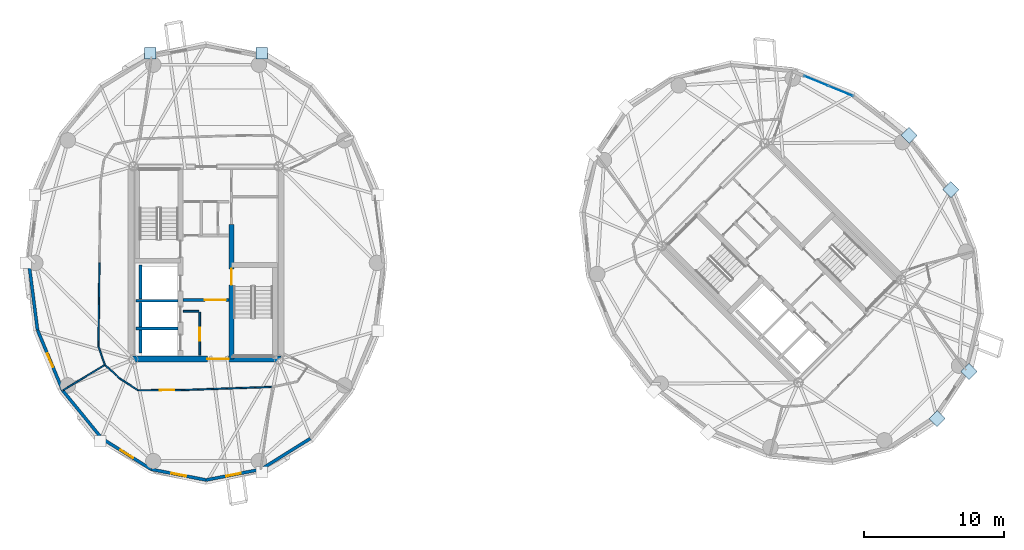
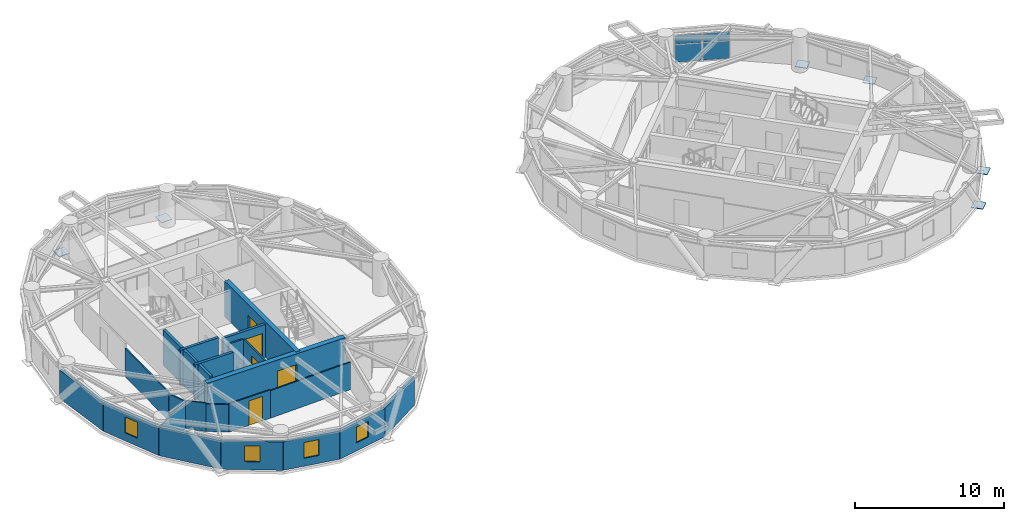
# One storey, part 7 of 14: 24 walls, 10 plates, 5 doors, 4 windows, 9 openings, 1 element without a shape of its own.
"""IFC4 building model written with IfcOpenShell, lengths in metres."""

from ifc_helpers import new_model, si_unit, direction, frame, frame_2d, origin, origin_2d, place, context, subcontext, project, spatial, rectangle, extrude, source, transform, mapped, material, layer, layer_set, type_object, element, fill, aggregate, save


model = new_model("IFC4")

# Units and contexts
model_context = context("Model", 3, precision=1e-05, world=origin(), true_north=direction((0.0, 1.0)))
body_context = subcontext(model_context, "Body", "Model", "MODEL_VIEW")
ifc_project = project(units=[si_unit("LENGTHUNIT", "METRE"), si_unit("AREAUNIT", "SQUARE_METRE"), si_unit("VOLUMEUNIT", "CUBIC_METRE"), si_unit("PLANEANGLEUNIT", "RADIAN"), si_unit("MASSUNIT", "GRAM", prefix="KILO")], contexts=[model_context])

# Site, building, storey
site_placement = place(None, origin())
site = spatial("IfcSite", under=ifc_project, at=site_placement, CompositionType="ELEMENT")
building_placement = place(site_placement, origin())
building = spatial("IfcBuilding", under=site, at=building_placement, Name="Cununo Teusaquillo Station Towers", CompositionType="ELEMENT")
storey_placement = place(building_placement, frame((0.0, 0.0, 202.47998046875)))
storey = spatial("IfcBuildingStorey", under=building, at=storey_placement, Name="L64", CompositionType="ELEMENT", Elevation=202.47998046875)

# Plates
ifc_material_1 = material(Name="Steel ASTM A572 Grade 50", Category="steel")
ifc_layer_1 = layer(ifc_material_1, 0.044921875)
ifc_layer_set_1 = layer_set([ifc_layer_1], Name="Steel ASTM A572 Grade 50")
plate_type_1 = type_object("IfcPlateType", Name="PLT-NODE-DN2", PredefinedType="USERDEFINED", material=ifc_layer_set_1)
shared_shape_1 = source(origin(), body_context, "Body", "SweptSolid", [
    extrude(rectangle(XDim=0.820068359375, YDim=0.820068359375, at=origin_2d()), origin(), (0.0, 0.0, 1.0), 0.044921875),
])
for number, where, z_axis, x_axis, name in (
    (1, (20.470947265625, 39.422119140625, -0.162353515625), (0.0, 0.0, 1.0), (1.0, 0.0, 0.0), "L64 Tower A Diagrid Node Assembly C03"),
    (2, (12.529052734375, 39.422119140625, -0.162353515625), (0.0, 0.0, 1.0), (1.0, 0.0, 0.0), "L64 Tower A Diagrid Node Assembly C06"),
    (3, (66.586181640625, 33.586181640625, -0.162353515625), (0.0, 0.0, 1.0), (0.707106781187, 0.707106781187, 0.0), "L64 Tower B Diagrid Node Assembly C00"),
    (4, (68.594482421875, 13.405517578125, -0.162353515625), (0.0, 0.0, 1.0), (0.707106781187, 0.707106781187, 0.0), "L64 Tower B Diagrid Node Assembly C14"),
    (5, (70.859375, 16.75634765625, -0.162353515625), (0.0, 0.0, 1.0), (0.707106781187, 0.707106781187, 0.0), "L64 Tower B Diagrid Node Assembly C16"),
    (6, (69.570068359375, 29.713134765625, -0.162353515625), (0.0, 0.0, 1.0), (0.707106781187, 0.707106781187, 0.0), "L64 Tower B Diagrid Node Assembly C18"),
):
    element("IfcPlate", number, at=place(storey_placement, frame(where, z_axis=z_axis, x_axis=x_axis)), inside=storey, type_object=plate_type_1, Name=name, ObjectType="GUSSET PLATE", PredefinedType="USERDEFINED", context=body_context, shape_type="MappedRepresentation", body=[
        mapped(shared_shape_1, transform((0.0, 0.0, 0.0), x_axis=(1.0, 0.0, 0.0), y_axis=(0.0, 1.0, 0.0), z_axis=(0.0, 0.0, 1.0), scale=1.0)),
    ])

# Curtain wall, plates
ifc_material_2 = material(Name="Ceramic-fritted dark low-E double glazing", Category="glass")
ifc_layer_2 = layer(ifc_material_2, 0.179931640625)
ifc_layer_set_2 = layer_set([ifc_layer_2], Name="Ceramic-fritted dark low-E double glazing")
curtain_wall_type = type_object("IfcCurtainWallType", Name="CW-SYS-07", PredefinedType="USERDEFINED", material=ifc_layer_set_2)
curtain_wall_placement = place(storey_placement, origin())
curtain_wall = element("IfcCurtainWall", 7, at=curtain_wall_placement, inside=storey, type_object=curtain_wall_type, Name="L64 Tower B Facade Curtain Wall C01", ObjectType="FRITTED GLAZING", PredefinedType="USERDEFINED")
ifc_material_3 = material(Name="Ceramic-fritted dark low-E double glazing", Category="glass")
ifc_layer_3 = layer(ifc_material_3, 0.028076171875)
ifc_layer_set_3 = layer_set([ifc_layer_3], Name="Ceramic-fritted dark low-E double glazing")
plate_type_2 = type_object("IfcPlateType", Name="CWP-FRIT-28", PredefinedType="CURTAIN_PANEL", material=ifc_layer_set_3)
shared_shape_2 = source(origin(), body_context, "Body", "SweptSolid", [
    extrude(rectangle(XDim=1.81298828125, YDim=0.028076171875, at=origin_2d()), origin(), (0.0, 0.0, 1.0), 1.41162109375),
])
plate_1_placement = place(storey_placement, frame((59.979248046875, 37.46044921875, 0.06494140625), z_axis=(0.0, 0.0, 1.0), x_axis=(0.924447019904, -0.381310513086, 0.0)))
plate_1 = element("IfcPlate", 8, at=plate_1_placement, type_object=plate_type_2, Name="CW-07 panel 1.1", PredefinedType="CURTAIN_PANEL", context=body_context, shape_type="MappedRepresentation", body=[
    mapped(shared_shape_2, transform((0.0, 0.0, 0.0), x_axis=(1.0, 0.0, 0.0), y_axis=(0.0, 1.0, 0.0), z_axis=(0.0, 0.0, 1.0), scale=1.0)),
])
plate_2_placement = place(storey_placement, frame((61.71533203125, 36.744384765625, 0.06494140625), z_axis=(0.0, 0.0, 1.0), x_axis=(0.924447019904, -0.381310513086, 0.0)))
plate_2 = element("IfcPlate", 9, at=plate_2_placement, type_object=plate_type_2, Name="CW-07 panel 2.1", PredefinedType="CURTAIN_PANEL", context=body_context, shape_type="MappedRepresentation", body=[
    mapped(shared_shape_2, transform((0.0, 0.0, 0.0), x_axis=(1.0, 0.0, 0.0), y_axis=(0.0, 1.0, 0.0), z_axis=(0.0, 0.0, 1.0), scale=1.0)),
])
shared_shape_3 = source(origin(), body_context, "Body", "SweptSolid", [
    extrude(rectangle(XDim=1.81298828125, YDim=0.028076171875, at=origin_2d()), origin(), (0.0, 0.0, 1.0), 0.715576171875),
])
plate_3_placement = place(storey_placement, frame((59.979248046875, 37.46044921875, 1.54150390625), z_axis=(0.0, 0.0, 1.0), x_axis=(0.924447019904, -0.381310513086, 0.0)))
plate_3 = element("IfcPlate", 10, at=plate_3_placement, type_object=plate_type_2, Name="CW-07 panel 1.2", PredefinedType="CURTAIN_PANEL", context=body_context, shape_type="MappedRepresentation", body=[
    mapped(shared_shape_3, transform((0.0, 0.0, 0.0), x_axis=(1.0, 0.0, 0.0), y_axis=(0.0, 1.0, 0.0), z_axis=(0.0, 0.0, 1.0), scale=1.0)),
])
plate_4_placement = place(storey_placement, frame((61.71533203125, 36.744384765625, 1.54150390625), z_axis=(0.0, 0.0, 1.0), x_axis=(0.924447019904, -0.381310513086, 0.0)))
plate_4 = element("IfcPlate", 11, at=plate_4_placement, type_object=plate_type_2, Name="CW-07 panel 2.2", PredefinedType="CURTAIN_PANEL", context=body_context, shape_type="MappedRepresentation", body=[
    mapped(shared_shape_3, transform((0.0, 0.0, 0.0), x_axis=(1.0, 0.0, 0.0), y_axis=(0.0, 1.0, 0.0), z_axis=(0.0, 0.0, 1.0), scale=1.0)),
])
aggregate(curtain_wall, [plate_1, plate_3, plate_2, plate_4])

# Walls
ifc_material_4 = material(Name="Concrete C50/60", Category="concrete")
ifc_layer_4 = layer(ifc_material_4, 0.199951171875)
ifc_layer_set_4 = layer_set([ifc_layer_4], Name="Concrete C50/60")
wall_type_1 = type_object("IfcWallType", Name="WL-CORE-200", PredefinedType="SHEAR", material=ifc_layer_set_4)
wall_1_placement = place(storey_placement, frame((11.52001953125, 21.800048828125, 0.0), z_axis=(0.0, 0.0, 1.0), x_axis=(1.0, 0.0, 0.0)))
element("IfcWall", 12, at=wall_1_placement, inside=storey, type_object=wall_type_1, Name="L64 Tower A Firefighting Lift Shaft South Shear Wall", PredefinedType="SHEAR", context=body_context, shape_type="SweptSolid", body=[
    extrude(rectangle(XDim=2.969970703125, YDim=0.199951171875, at=frame_2d((1.48486328125, 0.0))), origin(), (0.0, 0.0, 1.0), 2.909912109375),
])
wall_2_placement = place(storey_placement, frame((11.820068359375, 21.919921875, 0.0), z_axis=(0.0, 0.0, 1.0), x_axis=(0.0, 1.0, 0.0)))
element("IfcWall", 13, at=wall_2_placement, inside=storey, type_object=wall_type_1, Name="L64 Tower A Firefighting Lift Shaft Rear Shear Wall", PredefinedType="SHEAR", context=body_context, shape_type="SweptSolid", body=[
    extrude(rectangle(XDim=2.440185546875, YDim=0.199951171875, at=frame_2d((1.22021484375, 0.0))), origin(), (0.0, 0.0, 1.0), 2.909912109375),
])
wall_3_placement = place(storey_placement, frame((11.52001953125, 19.824951171875, 0.0), z_axis=(0.0, 0.0, 1.0), x_axis=(1.0, 0.0, 0.0)))
element("IfcWall", 14, at=wall_3_placement, inside=storey, type_object=wall_type_1, Name="L64 Tower A High-Rise Lift Hoistway Divider Shear Wall", PredefinedType="SHEAR", context=body_context, shape_type="SweptSolid", body=[
    extrude(rectangle(XDim=2.969970703125, YDim=0.199951171875, at=frame_2d((1.48486328125, 0.0))), origin(), (0.0, 0.0, 1.0), 2.909912109375),
])
wall_4_placement = place(storey_placement, frame((11.820068359375, 19.945068359375, 0.0), z_axis=(0.0, 0.0, 1.0), x_axis=(0.0, 1.0, 0.0)))
element("IfcWall", 15, at=wall_4_placement, inside=storey, type_object=wall_type_1, Name="L64 Tower A High-Rise Lift 2 Shaft Rear Shear Wall", PredefinedType="SHEAR", context=body_context, shape_type="SweptSolid", body=[
    extrude(rectangle(XDim=1.73486328125, YDim=0.199951171875, at=frame_2d((0.867431640625, 0.0))), origin(), (0.0, 0.0, 1.0), 2.909912109375),
])
wall_5_placement = place(storey_placement, frame((11.820068359375, 18.070068359375, 0.0), z_axis=(0.0, 0.0, 1.0), x_axis=(0.0, 1.0, 0.0)))
element("IfcWall", 16, at=wall_5_placement, inside=storey, type_object=wall_type_1, Name="L64 Tower A High-Rise Lift 1 Shaft Rear Shear Wall", PredefinedType="SHEAR", context=body_context, shape_type="SweptSolid", body=[
    extrude(rectangle(XDim=1.635009765625, YDim=0.199951171875, at=frame_2d((0.8173828125, 0.0))), origin(), (0.0, 0.0, 1.0), 2.909912109375),
])

# Wall, opening, door
ifc_material_5 = material(Name="Concrete C50/60", Category="concrete")
ifc_layer_5 = layer(ifc_material_5, 0.35009765625)
ifc_layer_set_5 = layer_set([ifc_layer_5], Name="Concrete C50/60")
wall_type_2 = type_object("IfcWallType", Name="WL-CORE-350", PredefinedType="SHEAR", material=ifc_layer_set_5)
wall_6_placement = place(storey_placement, frame((18.31494140625, 17.64990234375, 0.0), z_axis=(0.0, 0.0, 1.0), x_axis=(0.0, 1.0, 0.0)))
wall_6 = element("IfcWall", 17, at=wall_6_placement, inside=storey, type_object=wall_type_2, Name="L64 Tower A Core Shear Wall IE", PredefinedType="SHEAR", context=body_context, shape_type="SweptSolid", body=[
    extrude(rectangle(XDim=9.60009765625, YDim=0.35009765625, at=frame_2d((4.800048828125, 0.0))), origin(), (0.0, 0.0, 1.0), 2.909912109375),
])
shared_shape_4 = source(origin(), body_context, "Body", "SweptSolid", [
    extrude(rectangle(XDim=1.14990234375, YDim=2.02001953125, at=frame_2d((0.574951171875, 1.010009765625))), frame((0.0, 0.18505859375, 0.0), z_axis=(0.0, -1.0, 0.0), x_axis=(1.0, 0.0, 0.0)), (0.0, 0.0, 1.0), 0.3701171875),
])
opening_1_placement = place(wall_6_placement, frame((5.280029296875, 0.0, 0.0)))
opening_1 = element("IfcOpeningElement", 18, at=opening_1_placement, cuts=wall_6, Name="Opening D-ST1", PredefinedType="OPENING", context=body_context, shape_type="MappedRepresentation", body=[
    mapped(shared_shape_4, transform((0.0, 0.0, 0.0), x_axis=(1.0, 0.0, 0.0), y_axis=(0.0, 1.0, 0.0), z_axis=(0.0, 0.0, 1.0), scale=1.0)),
])
ifc_material_6 = material(Name="Galvanised fire-rated hollow steel door assembly", Category="steel")
door_type_1 = type_object("IfcDoorType", Name="DR-STAIR-1150", OperationType="NOTDEFINED", PredefinedType="DOOR", material=ifc_material_6)
shared_shape_5 = source(origin(), body_context, "Body", "SweptSolid", [
    extrude(rectangle(XDim=1.14990234375, YDim=2.02001953125, at=frame_2d((0.574951171875, 1.010009765625))), frame((0.0, 0.02490234375, 0.0), z_axis=(0.0, -1.0, 0.0), x_axis=(1.0, 0.0, 0.0)), (0.0, 0.0, 1.0), 0.050048828125),
])
door_1_placement = place(opening_1_placement, origin())
door_1 = element("IfcDoor", 19, at=door_1_placement, inside=storey, type_object=door_type_1, Name="L64 Tower A Exit Stair 2 Fire Door", OperationType="SINGLE_SWING_LEFT", OverallHeight=2.02001953125, OverallWidth=1.14990234375, PredefinedType="DOOR", context=body_context, shape_type="MappedRepresentation", body=[
    mapped(shared_shape_5, transform((0.0, 0.0, 0.0), x_axis=(1.0, 0.0, 0.0), y_axis=(0.0, 1.0, 0.0), z_axis=(0.0, 0.0, 1.0), scale=1.0)),
])
fill(opening_1, door_1)

ifc_material_7 = material(Name="Concrete C50/60", Category="concrete")
ifc_layer_6 = layer(ifc_material_7, 0.39990234375)
ifc_layer_set_6 = layer_set([ifc_layer_6], Name="Concrete C50/60")
wall_type_3 = type_object("IfcWallType", Name="WL-CORE-400", PredefinedType="SHEAR", material=ifc_layer_set_6)
wall_7_placement = place(storey_placement, frame((11.14990234375, 17.64990234375, 0.0), z_axis=(0.0, 0.0, 1.0), x_axis=(1.0, 0.0, 0.0)))
wall_7 = element("IfcWall", 20, at=wall_7_placement, inside=storey, type_object=wall_type_3, Name="L64 Tower A Core Shear Wall S", PredefinedType="SHEAR", context=body_context, shape_type="SweptSolid", body=[
    extrude(rectangle(XDim=10.7001953125, YDim=0.39990234375, at=frame_2d((5.35009765625, 0.0))), origin(), (0.0, 0.0, 1.0), 2.909912109375),
])
shared_shape_6 = source(origin(), body_context, "Body", "SweptSolid", [
    extrude(rectangle(XDim=1.5, YDim=2.02001953125, at=frame_2d((0.75, 1.010009765625))), frame((0.0, 0.2099609375, 0.0), z_axis=(0.0, -1.0, 0.0), x_axis=(1.0, 0.0, 0.0)), (0.0, 0.0, 1.0), 0.419921875),
])
opening_2_placement = place(wall_7_placement, frame((5.449951171875, 0.0, 0.0)))
opening_2 = element("IfcOpeningElement", 21, at=opening_2_placement, cuts=wall_7, Name="Opening D-LB1", PredefinedType="OPENING", context=body_context, shape_type="MappedRepresentation", body=[
    mapped(shared_shape_6, transform((0.0, 0.0, 0.0), x_axis=(1.0, 0.0, 0.0), y_axis=(0.0, 1.0, 0.0), z_axis=(0.0, 0.0, 1.0), scale=1.0)),
])
ifc_material_8 = material(Name="Galvanised fire-rated hollow steel door assembly", Category="steel")
door_type_2 = type_object("IfcDoorType", Name="DR-LOBBY-1500", OperationType="DOUBLE_DOOR_SINGLE_SWING", PredefinedType="DOOR", material=ifc_material_8)
shared_shape_7 = source(origin(), body_context, "Body", "SweptSolid", [
    extrude(rectangle(XDim=1.5, YDim=2.02001953125, at=frame_2d((0.75, 1.010009765625))), frame((0.0, 0.02490234375, 0.0), z_axis=(0.0, -1.0, 0.0), x_axis=(1.0, 0.0, 0.0)), (0.0, 0.0, 1.0), 0.050048828125),
])
door_2_placement = place(opening_2_placement, origin())
door_2 = element("IfcDoor", 22, at=door_2_placement, inside=storey, type_object=door_type_2, Name="L64 Tower A South Core Lift Lobby Door", OperationType="DOUBLE_DOOR_SINGLE_SWING", OverallHeight=2.02001953125, OverallWidth=1.5, PredefinedType="DOOR", context=body_context, shape_type="MappedRepresentation", body=[
    mapped(shared_shape_7, transform((0.0, 0.0, 0.0), x_axis=(1.0, 0.0, 0.0), y_axis=(0.0, 1.0, 0.0), z_axis=(0.0, 0.0, 1.0), scale=1.0)),
])
fill(opening_2, door_2)

# Wall
ifc_material_9 = material(Name="Precast concrete C40/50", Category="concrete")
ifc_layer_7 = layer(ifc_material_9, 0.219970703125)
ifc_layer_set_7 = layer_set([ifc_layer_7], Name="Precast concrete C40/50")
wall_type_4 = type_object("IfcWallType", Name="WL-EXT-220", PredefinedType="SOLIDWALL", material=ifc_layer_set_7)
wall_8_placement = place(storey_placement, frame((4.48828125, 19.719482421875, 0.0), z_axis=(0.0, 0.0, 1.0), x_axis=(-0.128241318541, 0.991742993027, 0.0)))
element("IfcWall", 23, at=wall_8_placement, inside=storey, type_object=wall_type_4, Name="L64 Tower A Exterior Facade Wall C10", PredefinedType="SOLIDWALL", context=body_context, shape_type="SweptSolid", body=[
    extrude(rectangle(XDim=4.8203125, YDim=0.219970703125, at=frame_2d((2.41015625, 0.0))), origin(), (0.0, 0.0, 1.0), 2.322021484375),
])

# Wall, opening, window
wall_9_placement = place(storey_placement, frame((6.281982421875, 15.406982421875, 0.0), z_axis=(0.0, 0.0, 1.0), x_axis=(-0.384036305194, 0.923317993052, 0.0)))
wall_9 = element("IfcWall", 24, at=wall_9_placement, inside=storey, type_object=wall_type_4, Name="L64 Tower A Exterior Facade Wall C11", PredefinedType="SOLIDWALL", context=body_context, shape_type="SweptSolid", body=[
    extrude(rectangle(XDim=4.670654296875, YDim=0.219970703125, at=frame_2d((2.33544921875, 0.0))), origin(), (0.0, 0.0, 1.0), 2.322021484375),
])
shared_shape_8 = source(origin(), body_context, "Body", "SweptSolid", [
    extrude(rectangle(XDim=1.050048828125, YDim=1.300048828125, at=frame_2d((0.52490234375, 0.64990234375))), frame((0.0, 0.119873046875, 0.0), z_axis=(0.0, -1.0, 0.0), x_axis=(1.0, 0.0, 0.0)), (0.0, 0.0, 1.0), 0.239990234375),
])
opening_3_placement = place(wall_9_placement, frame((1.81005859375, 0.0, 0.64990234375)))
opening_3 = element("IfcOpeningElement", 25, at=opening_3_placement, cuts=wall_9, Name="Opening WN-04", PredefinedType="OPENING", context=body_context, shape_type="MappedRepresentation", body=[
    mapped(shared_shape_8, transform((0.0, 0.0, 0.0), x_axis=(1.0, 0.0, 0.0), y_axis=(0.0, 1.0, 0.0), z_axis=(0.0, 0.0, 1.0), scale=1.0)),
])
ifc_material_10 = material(Name="Operable acoustic tinted low-E double glazing", Category="glass")
window_type = type_object("IfcWindowType", Name="WIN-BAL-1050", PartitioningType="SINGLE_PANEL", PredefinedType="WINDOW", material=ifc_material_10)
shared_shape_9 = source(origin(), body_context, "Body", "SweptSolid", [
    extrude(rectangle(XDim=1.050048828125, YDim=1.300048828125, at=frame_2d((0.52490234375, 0.64990234375))), frame((0.0, 0.030029296875, 0.0), z_axis=(0.0, -1.0, 0.0), x_axis=(1.0, 0.0, 0.0)), (0.0, 0.0, 1.0), 0.06005859375),
])
window_1_placement = place(opening_3_placement, origin())
window_1 = element("IfcWindow", 26, at=window_1_placement, inside=storey, type_object=window_type, Name="L64 Tower A Facade Window C11", OverallHeight=1.300048828125, OverallWidth=1.050048828125, PartitioningType="SINGLE_PANEL", PredefinedType="WINDOW", context=body_context, shape_type="MappedRepresentation", body=[
    mapped(shared_shape_9, transform((0.0, 0.0, 0.0), x_axis=(1.0, 0.0, 0.0), y_axis=(0.0, 1.0, 0.0), z_axis=(0.0, 0.0, 1.0), scale=1.0)),
])
fill(opening_3, window_1)

# Wall
wall_10_placement = place(storey_placement, frame((9.076416015625, 11.984619140625, 0.0), z_axis=(0.0, 0.0, 1.0), x_axis=(-0.632467166636, 0.774587169483, 0.0)))
element("IfcWall", 27, at=wall_10_placement, inside=storey, type_object=wall_type_4, Name="L64 Tower A Exterior Facade Wall C12", PredefinedType="SOLIDWALL", context=body_context, shape_type="SweptSolid", body=[
    extrude(rectangle(XDim=4.418212890625, YDim=0.219970703125, at=frame_2d((2.208984375, 0.0))), origin(), (0.0, 0.0, 1.0), 2.322021484375),
])

# Wall, opening, window
wall_11_placement = place(storey_placement, frame((12.59716796875, 9.787109375, 0.0), z_axis=(0.0, 0.0, 1.0), x_axis=(-0.848318713376, 0.529485939886, 0.0)))
wall_11 = element("IfcWall", 28, at=wall_11_placement, inside=storey, type_object=wall_type_4, Name="L64 Tower A Exterior Facade Wall C13", PredefinedType="SOLIDWALL", context=body_context, shape_type="SweptSolid", body=[
    extrude(rectangle(XDim=4.150390625, YDim=0.219970703125, at=frame_2d((2.0751953125, 0.0))), origin(), (0.0, 0.0, 1.0), 2.322021484375),
])
opening_4_placement = place(wall_11_placement, frame((1.550048828125, 0.0, 0.64990234375)))
opening_4 = element("IfcOpeningElement", 29, at=opening_4_placement, cuts=wall_11, Name="Opening WN-04", PredefinedType="OPENING", context=body_context, shape_type="MappedRepresentation", body=[
    mapped(shared_shape_8, transform((0.0, 0.0, 0.0), x_axis=(1.0, 0.0, 0.0), y_axis=(0.0, 1.0, 0.0), z_axis=(0.0, 0.0, 1.0), scale=1.0)),
])
window_2_placement = place(opening_4_placement, origin())
window_2 = element("IfcWindow", 30, at=window_2_placement, inside=storey, type_object=window_type, Name="L64 Tower A Facade Window C13", OverallHeight=1.300048828125, OverallWidth=1.050048828125, PartitioningType="SINGLE_PANEL", PredefinedType="WINDOW", context=body_context, shape_type="MappedRepresentation", body=[
    mapped(shared_shape_9, transform((0.0, 0.0, 0.0), x_axis=(1.0, 0.0, 0.0), y_axis=(0.0, 1.0, 0.0), z_axis=(0.0, 0.0, 1.0), scale=1.0)),
])
fill(opening_4, window_2)

wall_12_placement = place(storey_placement, frame((16.5, 9.030029296875, 0.0), z_axis=(0.0, 0.0, 1.0), x_axis=(-0.981700307484, 0.190432419211, 0.0)))
wall_12 = element("IfcWall", 31, at=wall_12_placement, inside=storey, type_object=wall_type_4, Name="L64 Tower A Exterior Facade Wall C14", PredefinedType="SOLIDWALL", context=body_context, shape_type="SweptSolid", body=[
    extrude(rectangle(XDim=3.9755859375, YDim=0.219970703125, at=frame_2d((1.98779296875, 0.0))), origin(), (0.0, 0.0, 1.0), 2.322021484375),
])
opening_5_placement = place(wall_12_placement, frame((1.462890625, 0.0, 0.64990234375)))
opening_5 = element("IfcOpeningElement", 32, at=opening_5_placement, cuts=wall_12, Name="Opening WN-04", PredefinedType="OPENING", context=body_context, shape_type="MappedRepresentation", body=[
    mapped(shared_shape_8, transform((0.0, 0.0, 0.0), x_axis=(1.0, 0.0, 0.0), y_axis=(0.0, 1.0, 0.0), z_axis=(0.0, 0.0, 1.0), scale=1.0)),
])
window_3_placement = place(opening_5_placement, origin())
window_3 = element("IfcWindow", 33, at=window_3_placement, inside=storey, type_object=window_type, Name="L64 Tower A Facade Window C14", OverallHeight=1.300048828125, OverallWidth=1.050048828125, PartitioningType="SINGLE_PANEL", PredefinedType="WINDOW", context=body_context, shape_type="MappedRepresentation", body=[
    mapped(shared_shape_9, transform((0.0, 0.0, 0.0), x_axis=(1.0, 0.0, 0.0), y_axis=(0.0, 1.0, 0.0), z_axis=(0.0, 0.0, 1.0), scale=1.0)),
])
fill(opening_5, window_3)

wall_13_placement = place(storey_placement, frame((20.40283203125, 9.787109375, 0.0), z_axis=(0.0, 0.0, 1.0), x_axis=(-0.981700307484, -0.190432419211, 0.0)))
wall_13 = element("IfcWall", 34, at=wall_13_placement, inside=storey, type_object=wall_type_4, Name="L64 Tower A Exterior Facade Wall C15", PredefinedType="SOLIDWALL", context=body_context, shape_type="SweptSolid", body=[
    extrude(rectangle(XDim=3.9755859375, YDim=0.219970703125, at=frame_2d((1.98779296875, 0.0))), origin(), (0.0, 0.0, 1.0), 2.322021484375),
])
opening_6_placement = place(wall_13_placement, frame((1.462890625, 0.0, 0.64990234375)))
opening_6 = element("IfcOpeningElement", 35, at=opening_6_placement, cuts=wall_13, Name="Opening WN-04", PredefinedType="OPENING", context=body_context, shape_type="MappedRepresentation", body=[
    mapped(shared_shape_8, transform((0.0, 0.0, 0.0), x_axis=(1.0, 0.0, 0.0), y_axis=(0.0, 1.0, 0.0), z_axis=(0.0, 0.0, 1.0), scale=1.0)),
])
window_4_placement = place(opening_6_placement, origin())
window_4 = element("IfcWindow", 36, at=window_4_placement, inside=storey, type_object=window_type, Name="L64 Tower A Facade Window C15", OverallHeight=1.300048828125, OverallWidth=1.050048828125, PartitioningType="SINGLE_PANEL", PredefinedType="WINDOW", context=body_context, shape_type="MappedRepresentation", body=[
    mapped(shared_shape_9, transform((0.0, 0.0, 0.0), x_axis=(1.0, 0.0, 0.0), y_axis=(0.0, 1.0, 0.0), z_axis=(0.0, 0.0, 1.0), scale=1.0)),
])
fill(opening_6, window_4)

# Walls
wall_14_placement = place(storey_placement, frame((23.923583984375, 11.984619140625, 0.0), z_axis=(0.0, 0.0, 1.0), x_axis=(-0.848318713376, -0.529485939886, 0.0)))
element("IfcWall", 37, at=wall_14_placement, inside=storey, type_object=wall_type_4, Name="L64 Tower A Exterior Facade Wall C16", PredefinedType="SOLIDWALL", context=body_context, shape_type="SweptSolid", body=[
    extrude(rectangle(XDim=4.150390625, YDim=0.219970703125, at=frame_2d((2.0751953125, 0.0))), origin(), (0.0, 0.0, 1.0), 2.322021484375),
])
ifc_material_11 = material(Name="Fire-rated gypsum plasterboard partition assembly", Category="gypsum")
ifc_layer_8 = layer(ifc_material_11, 0.10009765625)
ifc_layer_set_8 = layer_set([ifc_layer_8], Name="Fire-rated gypsum plasterboard partition assembly")
wall_type_5 = type_object("IfcWallType", Name="WL-PART-100", PredefinedType="MOVABLE", material=ifc_layer_set_8)
wall_15_placement = place(storey_placement, frame((8.89990234375, 24.5, 0.0), z_axis=(0.0, 0.0, 1.0), x_axis=(-0.011416369353, -0.999934831132, 0.0)))
element("IfcWall", 38, at=wall_15_placement, inside=storey, type_object=wall_type_5, Name="L64 Tower A Corridor Ring Wall C10", PredefinedType="MOVABLE", context=body_context, shape_type="SweptSolid", body=[
    extrude(rectangle(XDim=5.966552734375, YDim=0.10009765625, at=frame_2d((2.9833984375, 0.0))), origin(), (0.0, 0.0, 1.0), 2.322021484375),
])
wall_16_placement = place(storey_placement, frame((8.831787109375, 18.533935546875, 0.0), z_axis=(0.0, 0.0, 1.0), x_axis=(0.332031819657, -0.943268186008, 0.0)))
element("IfcWall", 39, at=wall_16_placement, inside=storey, type_object=wall_type_5, Name="L64 Tower A Corridor Ring Wall C11", PredefinedType="MOVABLE", context=body_context, shape_type="SweptSolid", body=[
    extrude(rectangle(XDim=1.377197265625, YDim=0.10009765625, at=frame_2d((0.6884765625, 0.0))), origin(), (0.0, 0.0, 1.0), 2.255126953125),
])
wall_17_placement = place(storey_placement, frame((9.2890625, 17.23486328125, 0.0), z_axis=(0.0, 0.0, 1.0), x_axis=(0.739015164946, -0.673688790155, 0.0)))
element("IfcWall", 40, at=wall_17_placement, inside=storey, type_object=wall_type_5, Name="L64 Tower A Corridor Ring Wall C12", PredefinedType="MOVABLE", context=body_context, shape_type="SweptSolid", body=[
    extrude(rectangle(XDim=1.4462890625, YDim=0.10009765625, at=frame_2d((0.72314453125, 0.0))), origin(), (0.0, 0.0, 1.0), 2.322021484375),
])
wall_18_placement = place(storey_placement, frame((10.35791015625, 16.260498046875, 0.0), z_axis=(0.0, 0.0, 1.0), x_axis=(0.838265397059, -0.545262435983, 0.0)))
element("IfcWall", 41, at=wall_18_placement, inside=storey, type_object=wall_type_5, Name="L64 Tower A Corridor Ring Wall C13", PredefinedType="MOVABLE", context=body_context, shape_type="SweptSolid", body=[
    extrude(rectangle(XDim=1.533935546875, YDim=0.10009765625, at=frame_2d((0.76708984375, 0.0))), origin(), (0.0, 0.0, 1.0), 2.255126953125),
])

# Wall, opening, door
wall_19_placement = place(storey_placement, frame((11.643798828125, 15.424072265625, 0.0), z_axis=(0.0, 0.0, 1.0), x_axis=(0.999986552511, 0.005186019339, 0.0)))
wall_19 = element("IfcWall", 42, at=wall_19_placement, inside=storey, type_object=wall_type_5, Name="L64 Tower A Corridor Ring Wall C14", PredefinedType="MOVABLE", context=body_context, shape_type="SweptSolid", body=[
    extrude(rectangle(XDim=3.201171875, YDim=0.10009765625, at=frame_2d((1.6005859375, 0.0))), origin(), (0.0, 0.0, 1.0), 2.322021484375),
])
shared_shape_10 = source(origin(), body_context, "Body", "SweptSolid", [
    extrude(rectangle(XDim=1.050048828125, YDim=2.014892578125, at=frame_2d((0.52490234375, 1.00732421875))), frame((0.0, 0.06005859375, 0.0), z_axis=(0.0, -1.0, 0.0), x_axis=(1.0, 0.0, 0.0)), (0.0, 0.0, 1.0), 0.1201171875),
])
opening_7_placement = place(wall_19_placement, frame((1.553466796875, 0.0, 0.0)))
opening_7 = element("IfcOpeningElement", 43, at=opening_7_placement, cuts=wall_19, Name="Opening D-SU1", PredefinedType="OPENING", context=body_context, shape_type="MappedRepresentation", body=[
    mapped(shared_shape_10, transform((0.0, 0.0, 0.0), x_axis=(1.0, 0.0, 0.0), y_axis=(0.0, 1.0, 0.0), z_axis=(0.0, 0.0, 1.0), scale=1.0)),
])
ifc_material_12 = material(Name="Acoustic solid-core hardwood leaf assembly", Category="wood")
door_type_3 = type_object("IfcDoorType", Name="DR-SUITE-1050", OperationType="NOTDEFINED", PredefinedType="DOOR", material=ifc_material_12)
shared_shape_11 = source(origin(), body_context, "Body", "SweptSolid", [
    extrude(rectangle(XDim=1.050048828125, YDim=2.014892578125, at=frame_2d((0.52490234375, 1.00732421875))), frame((0.0, 0.02490234375, 0.0), z_axis=(0.0, -1.0, 0.0), x_axis=(1.0, 0.0, 0.0)), (0.0, 0.0, 1.0), 0.050048828125),
])
door_3_placement = place(opening_7_placement, origin())
door_3 = element("IfcDoor", 44, at=door_3_placement, inside=storey, type_object=door_type_3, Name="L64 Tower A Summit Client Reception Salon Entrance Door", OperationType="SINGLE_SWING_LEFT", OverallHeight=2.014892578125, OverallWidth=1.050048828125, PredefinedType="DOOR", context=body_context, shape_type="MappedRepresentation", body=[
    mapped(shared_shape_11, transform((0.0, 0.0, 0.0), x_axis=(1.0, 0.0, 0.0), y_axis=(0.0, 1.0, 0.0), z_axis=(0.0, 0.0, 1.0), scale=1.0)),
])
fill(opening_7, door_3)

# Walls
wall_20_placement = place(storey_placement, frame((14.844970703125, 15.440673828125, 0.0), z_axis=(0.0, 0.0, 1.0), x_axis=(0.99938794868, 0.034981824334, 0.0)))
element("IfcWall", 45, at=wall_20_placement, inside=storey, type_object=wall_type_5, Name="L64 Tower A Corridor Ring Wall C15", PredefinedType="MOVABLE", context=body_context, shape_type="SweptSolid", body=[
    extrude(rectangle(XDim=6.392822265625, YDim=0.10009765625, at=frame_2d((3.1962890625, 0.0))), origin(), (0.0, 0.0, 1.0), 2.255126953125),
])
wall_21_placement = place(storey_placement, frame((9.2890625, 17.23486328125, 0.0), z_axis=(0.0, 0.0, 1.0), x_axis=(-0.854741081983, -0.519054604806, 0.0)))
element("IfcWall", 46, at=wall_21_placement, inside=storey, type_object=wall_type_5, Name="L64 Tower A Radial Suite Partition R03", PredefinedType="MOVABLE", context=body_context, shape_type="SweptSolid", body=[
    extrude(rectangle(XDim=3.4990234375, YDim=0.10009765625, at=frame_2d((1.74951171875, 0.0))), origin(), (0.0, 0.0, 1.0), 2.322021484375),
])

# Wall, opening, door
ifc_material_13 = material(Name="Fire-rated gypsum plasterboard partition assembly", Category="gypsum")
ifc_layer_9 = layer(ifc_material_13, 0.125)
ifc_layer_set_9 = layer_set([ifc_layer_9], Name="Fire-rated gypsum plasterboard partition assembly")
wall_type_6 = type_object("IfcWallType", Name="WL-PART-125", PredefinedType="PARTITIONING", material=ifc_layer_set_9)
wall_22_placement = place(storey_placement, frame((16.050048828125, 17.919921875, 0.0), z_axis=(0.0, 0.0, 1.0), x_axis=(0.0, 1.0, 0.0)))
wall_22 = element("IfcWall", 47, at=wall_22_placement, inside=storey, type_object=wall_type_6, Name="L64 Tower A South-West Tall Store East Wall", PredefinedType="PARTITIONING", context=body_context, shape_type="SweptSolid", body=[
    extrude(rectangle(XDim=3.080078125, YDim=0.125, at=frame_2d((1.5400390625, 0.0))), origin(), (0.0, 0.0, 1.0), 2.68505859375),
])
shared_shape_12 = source(origin(), body_context, "Body", "SweptSolid", [
    extrude(rectangle(XDim=0.89990234375, YDim=2.0048828125, at=frame_2d((0.449951171875, 1.00244140625))), frame((0.0, 0.072509765625, 0.0), z_axis=(0.0, -1.0, 0.0), x_axis=(1.0, 0.0, 0.0)), (0.0, 0.0, 1.0), 0.14501953125),
])
opening_8_placement = place(wall_22_placement, frame((1.050048828125, 0.0, 0.0)))
opening_8 = element("IfcOpeningElement", 48, at=opening_8_placement, cuts=wall_22, Name="Opening D-SR1", PredefinedType="OPENING", context=body_context, shape_type="MappedRepresentation", body=[
    mapped(shared_shape_12, transform((0.0, 0.0, 0.0), x_axis=(1.0, 0.0, 0.0), y_axis=(0.0, 1.0, 0.0), z_axis=(0.0, 0.0, 1.0), scale=1.0)),
])
ifc_material_14 = material(Name="Galvanised fire-rated hollow steel door assembly", Category="steel")
door_type_4 = type_object("IfcDoorType", Name="DR-STORE-900", OperationType="NOTDEFINED", PredefinedType="DOOR", material=ifc_material_14)
shared_shape_13 = source(origin(), body_context, "Body", "SweptSolid", [
    extrude(rectangle(XDim=0.89990234375, YDim=2.0048828125, at=frame_2d((0.449951171875, 1.00244140625))), frame((0.0, 0.02490234375, 0.0), z_axis=(0.0, -1.0, 0.0), x_axis=(1.0, 0.0, 0.0)), (0.0, 0.0, 1.0), 0.050048828125),
])
door_4_placement = place(opening_8_placement, origin())
door_4 = element("IfcDoor", 49, at=door_4_placement, inside=storey, type_object=door_type_4, Name="L64 Tower A South Cleaners Store Door", OperationType="SINGLE_SWING_RIGHT", OverallHeight=2.0048828125, OverallWidth=0.89990234375, PredefinedType="DOOR", context=body_context, shape_type="MappedRepresentation", body=[
    mapped(shared_shape_13, transform((0.0, 0.0, 0.0), x_axis=(1.0, 0.0, 0.0), y_axis=(0.0, 1.0, 0.0), z_axis=(0.0, 0.0, 1.0), scale=1.0)),
])
fill(opening_8, door_4)

# Wall
wall_23_placement = place(storey_placement, frame((14.8798828125, 21.050048828125, 0.0), z_axis=(0.0, 0.0, 1.0), x_axis=(1.0, 0.0, 0.0)))
element("IfcWall", 50, at=wall_23_placement, inside=storey, type_object=wall_type_6, Name="L64 Tower A South-West Tall Store North Wall", PredefinedType="PARTITIONING", context=body_context, shape_type="SweptSolid", body=[
    extrude(rectangle(XDim=1.10009765625, YDim=0.125, at=frame_2d((0.550048828125, 0.0))), origin(), (0.0, 0.0, 1.0), 2.68505859375),
])

# Wall, opening, door
ifc_material_15 = material(Name="Fire-rated gypsum plasterboard partition assembly", Category="gypsum")
ifc_layer_10 = layer(ifc_material_15, 0.199951171875)
ifc_layer_set_10 = layer_set([ifc_layer_10], Name="Fire-rated gypsum plasterboard partition assembly")
wall_type_7 = type_object("IfcWallType", Name="WL-PART-200", PredefinedType="PARTITIONING", material=ifc_layer_set_10)
wall_24_placement = place(storey_placement, frame((14.860107421875, 21.85009765625, 0.0), z_axis=(0.0, 0.0, 1.0), x_axis=(1.0, 0.0, 0.0)))
wall_24 = element("IfcWall", 51, at=wall_24_placement, inside=storey, type_object=wall_type_7, Name="L64 Tower A Firefighting Lift Lobby South Fire Wall", PredefinedType="PARTITIONING", context=body_context, shape_type="SweptSolid", body=[
    extrude(rectangle(XDim=3.27978515625, YDim=0.199951171875, at=frame_2d((1.639892578125, 0.0))), origin(), (0.0, 0.0, 1.0), 2.68505859375),
])
shared_shape_14 = source(origin(), body_context, "Body", "SweptSolid", [
    extrude(rectangle(XDim=1.5, YDim=2.02001953125, at=frame_2d((0.75, 1.010009765625))), frame((0.0, 0.10986328125, 0.0), z_axis=(0.0, -1.0, 0.0), x_axis=(1.0, 0.0, 0.0)), (0.0, 0.0, 1.0), 0.219970703125),
])
opening_9_placement = place(wall_24_placement, frame((1.550048828125, 0.0, 0.0)))
opening_9 = element("IfcOpeningElement", 52, at=opening_9_placement, cuts=wall_24, Name="Opening D-LB1", PredefinedType="OPENING", context=body_context, shape_type="MappedRepresentation", body=[
    mapped(shared_shape_14, transform((0.0, 0.0, 0.0), x_axis=(1.0, 0.0, 0.0), y_axis=(0.0, 1.0, 0.0), z_axis=(0.0, 0.0, 1.0), scale=1.0)),
])
door_5_placement = place(opening_9_placement, origin())
door_5 = element("IfcDoor", 53, at=door_5_placement, inside=storey, type_object=door_type_2, Name="L64 Tower A Firefighting Lift Lobby South Fire Door", OperationType="DOUBLE_DOOR_SINGLE_SWING", OverallHeight=2.02001953125, OverallWidth=1.5, PredefinedType="DOOR", context=body_context, shape_type="MappedRepresentation", body=[
    mapped(shared_shape_7, transform((0.0, 0.0, 0.0), x_axis=(1.0, 0.0, 0.0), y_axis=(0.0, 1.0, 0.0), z_axis=(0.0, 0.0, 1.0), scale=1.0)),
])
fill(opening_9, door_5)

save(model, "model.ifc")
